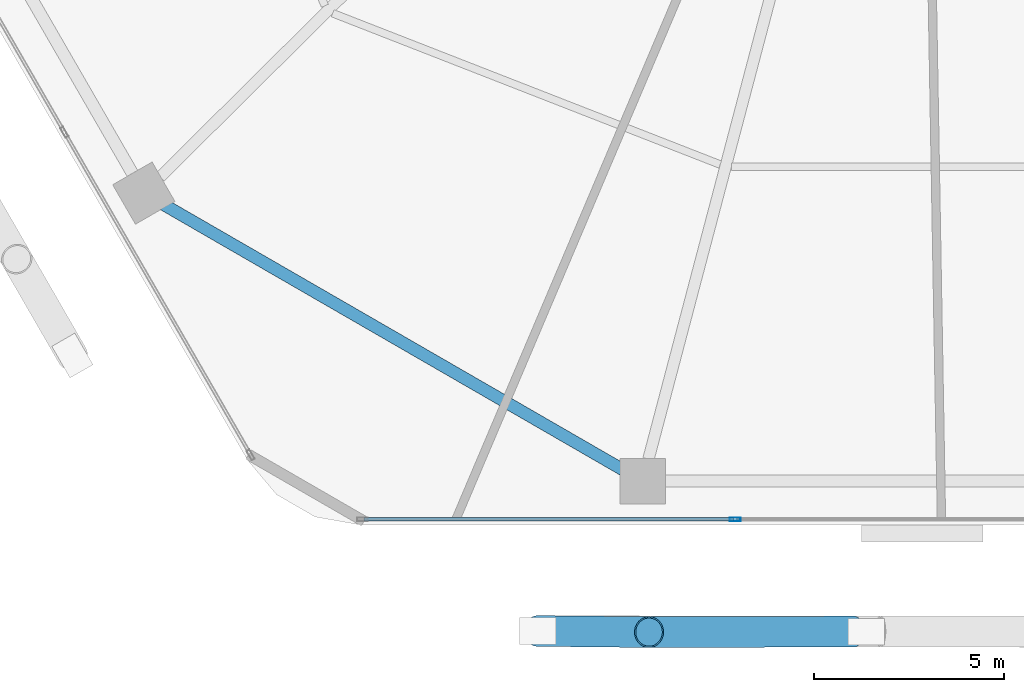
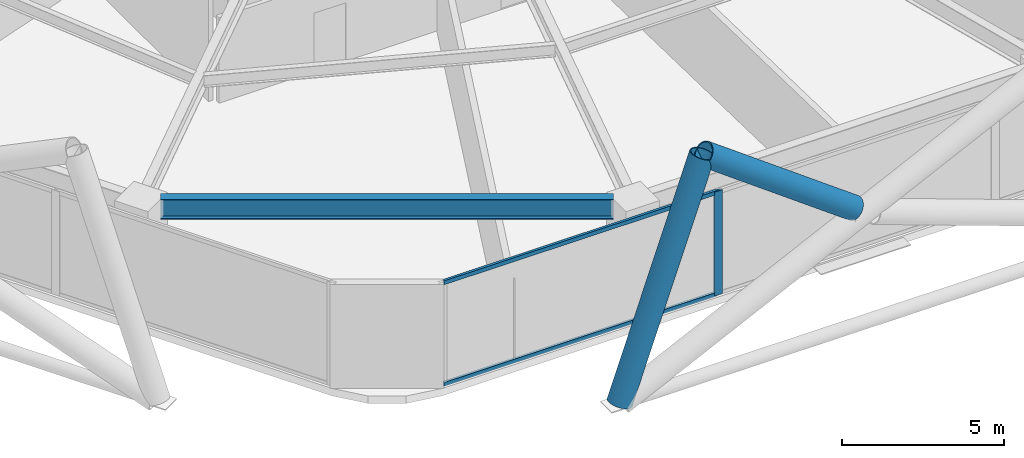
# One storey, part 3 of 30: 5 members, 1 beam, 1 element without a shape of its own.
"""IFC4 building model written with IfcOpenShell, lengths in metres."""

from ifc_helpers import new_model, si_unit, direction, frame, origin, origin_2d, place, context, subcontext, project, spatial, hollow_rectangle, hollow_circle, i_section, extrude, material, material_profile, profile_set, type_object, element, aggregate, save


model = new_model("IFC4")

# Units and contexts
model_context = context("Model", 3, precision=1e-05, world=origin(), true_north=direction((0.0, 1.0)))
body_context = subcontext(model_context, "Body", "Model", "MODEL_VIEW")
ifc_project = project(units=[si_unit("LENGTHUNIT", "METRE"), si_unit("AREAUNIT", "SQUARE_METRE"), si_unit("VOLUMEUNIT", "CUBIC_METRE"), si_unit("PLANEANGLEUNIT", "RADIAN"), si_unit("MASSUNIT", "GRAM", prefix="KILO")], contexts=[model_context])

# Site, building, storey
site_placement = place(None, origin())
site = spatial("IfcSite", under=ifc_project, at=site_placement, CompositionType="ELEMENT")
building_placement = place(site_placement, origin())
building = spatial("IfcBuilding", under=site, at=building_placement, Name="Zuhravey Tower", CompositionType="ELEMENT")
storey_placement = place(building_placement, frame((0.0, 0.0, 58.199951171875)))
storey = spatial("IfcBuildingStorey", under=building, at=storey_placement, Name="L14", CompositionType="ELEMENT", Elevation=58.199951171875)

# Curtain wall, members
ifc_material_1 = material(Name="Thermally broken anodised aluminium", Category="aluminium")
curtain_wall_type = type_object("IfcCurtainWallType", Name="School Low-E Unitised Curtain Wall CW1", PredefinedType="NOTDEFINED", material=ifc_material_1)
curtain_wall_placement = place(storey_placement, origin())
curtain_wall = element("IfcCurtainWall", 1, at=curtain_wall_placement, inside=storey, type_object=curtain_wall_type, Name="L14 CW1 CW-L14-F5-1", PredefinedType="NOTDEFINED")
ifc_material_2 = material(Name="Anodised aluminium", Category="aluminium")
ifc_material_profile_1 = material_profile(ifc_material_2, hollow_rectangle(XDim=0.090087890625, YDim=0.284912109375, WallThickness=0.0048828125, at=origin_2d()), Name="ALU-RHS-90x285x5")
ifc_profile_set_1 = profile_set([ifc_material_profile_1], Name="Anodised aluminium")
member_type_1 = type_object("IfcMemberType", Name="Curtain-Wall Mullion 90x180", PredefinedType="MULLION", material=ifc_profile_set_1)
member_1_placement = place(storey_placement, frame((31.06689453125, 3.04150390625, 0.0), z_axis=(0.0, 0.0, 1.0), x_axis=(0.0, -1.0, 0.0)))
member_1 = element("IfcMember", 2, at=member_1_placement, type_object=member_type_1, Name="CW1 mullion 3", PredefinedType="MULLION", context=body_context, shape_type="SweptSolid", body=[
    extrude(hollow_rectangle(XDim=0.090087890625, YDim=0.284912109375, WallThickness=0.0048828125, at=origin_2d()), origin(), (0.0, 0.0, 1.0), 3.920166015625),
])
ifc_material_profile_2 = material_profile(ifc_material_2, hollow_rectangle(XDim=0.090087890625, YDim=0.14990234375, WallThickness=0.0048828125, at=origin_2d()), Name="ALU-RHS-90x150x5")
ifc_profile_set_2 = profile_set([ifc_material_profile_2], Name="Anodised aluminium")
member_type_2 = type_object("IfcMemberType", Name="Curtain-Wall Transom 90x150", PredefinedType="USERDEFINED", material=ifc_profile_set_2)
member_2_placement = place(storey_placement, frame((31.021728515625, 3.04150390625, 0.045166015625), z_axis=(-1.0, 0.0, 0.0), x_axis=(0.0, -1.0, 0.0)))
member_2 = element("IfcMember", 3, at=member_2_placement, type_object=member_type_2, Name="CW1 transom 3.1", ObjectType="TRANSOM", PredefinedType="USERDEFINED", context=body_context, shape_type="SweptSolid", body=[
    extrude(hollow_rectangle(XDim=0.090087890625, YDim=0.14990234375, WallThickness=0.0048828125, at=origin_2d()), origin(), (0.0, 0.0, 1.0), 9.731201171875),
])
member_3_placement = place(storey_placement, frame((31.021728515625, 3.04150390625, 3.875), z_axis=(-1.0, 0.0, 0.0), x_axis=(0.0, -1.0, 0.0)))
member_3 = element("IfcMember", 4, at=member_3_placement, type_object=member_type_2, Name="CW1 transom 3.2", ObjectType="TRANSOM", PredefinedType="USERDEFINED", context=body_context, shape_type="SweptSolid", body=[
    extrude(hollow_rectangle(XDim=0.090087890625, YDim=0.14990234375, WallThickness=0.0048828125, at=origin_2d()), origin(), (0.0, 0.0, 1.0), 9.731201171875),
])
aggregate(curtain_wall, [member_1, member_2, member_3])

# Members
ifc_material_3 = material(Name="Steel SM460", Category="steel")
ifc_material_profile_3 = material_profile(ifc_material_3, hollow_circle(Radius=0.406494140625, WallThickness=0.035888671875, at=origin_2d()), Name="CHS-812.8x36")
ifc_profile_set_3 = profile_set([ifc_material_profile_3], Name="Steel SM460")
member_type_3 = type_object("IfcMemberType", Name="Exoskeleton Zone 1 Diagrid CHS813x36", PredefinedType="BRACE", material=ifc_profile_set_3)
member_4_placement = place(storey_placement, frame((25.870849609375, 0.101318359375, -0.471923828125), z_axis=(0.330640861788, -0.003364038457, 0.943750657622), x_axis=(0.010173770828, 0.999948245854, 0.0)))
element("IfcMember", 5, at=member_4_placement, inside=storey, type_object=member_type_3, Name="L14 Face 5 Diagrid Brace 1", PredefinedType="BRACE", context=body_context, shape_type="SweptSolid", body=[
    extrude(hollow_circle(Radius=0.406494140625, WallThickness=0.035888671875, at=origin_2d()), origin(), (0.0, 0.0, 1.0), 8.85400390625),
])
member_5_placement = place(storey_placement, frame((34.208740234375, 0.085693359375, 3.940673828125), z_axis=(-0.80616154542, -0.002128915432, 0.591691668359), x_axis=(0.002640795782, -0.999996513093, 0.0)))
element("IfcMember", 6, at=member_5_placement, inside=storey, type_object=member_type_3, Name="L14 Face 5 Split Diagrid Brace 3B", PredefinedType="BRACE", context=body_context, shape_type="SweptSolid", body=[
    extrude(hollow_circle(Radius=0.406494140625, WallThickness=0.035888671875, at=origin_2d()), origin(), (0.0, 0.0, 1.0), 6.6513671875),
])

# Beam
ifc_material_4 = material(Name="Steel SM355", Category="steel")
ifc_material_profile_4 = material_profile(ifc_material_4, i_section(OverallWidth=0.320068359375, OverallDepth=0.75, WebThickness=0.013916015625, FlangeThickness=0.02490234375, at=origin_2d()), Name="H-750x320x14x25")
ifc_profile_set_4 = profile_set([ifc_material_profile_4], Name="Steel SM355")
beam_type = type_object("IfcBeamType", Name="Perimeter Ring Beam H750x320", PredefinedType="BEAM", material=ifc_profile_set_4)
beam_placement = place(storey_placement, frame((16.003173828125, 11.341552734375, 3.545166015625), z_axis=(0.866029969761, -0.499992091414, 0.0), x_axis=(0.499992091414, 0.866029969761, 0.0)))
element("IfcBeam", 7, at=beam_placement, inside=storey, type_object=beam_type, Name="L14 PB1 BM-L14-PB-08", PredefinedType="BEAM", context=body_context, shape_type="SweptSolid", body=[
    extrude(i_section(OverallWidth=0.320068359375, OverallDepth=0.75, WebThickness=0.013916015625, FlangeThickness=0.02490234375, at=origin_2d()), origin(), (0.0, 0.0, 1.0), 13.977294921875),
])

save(model, "model.ifc")
